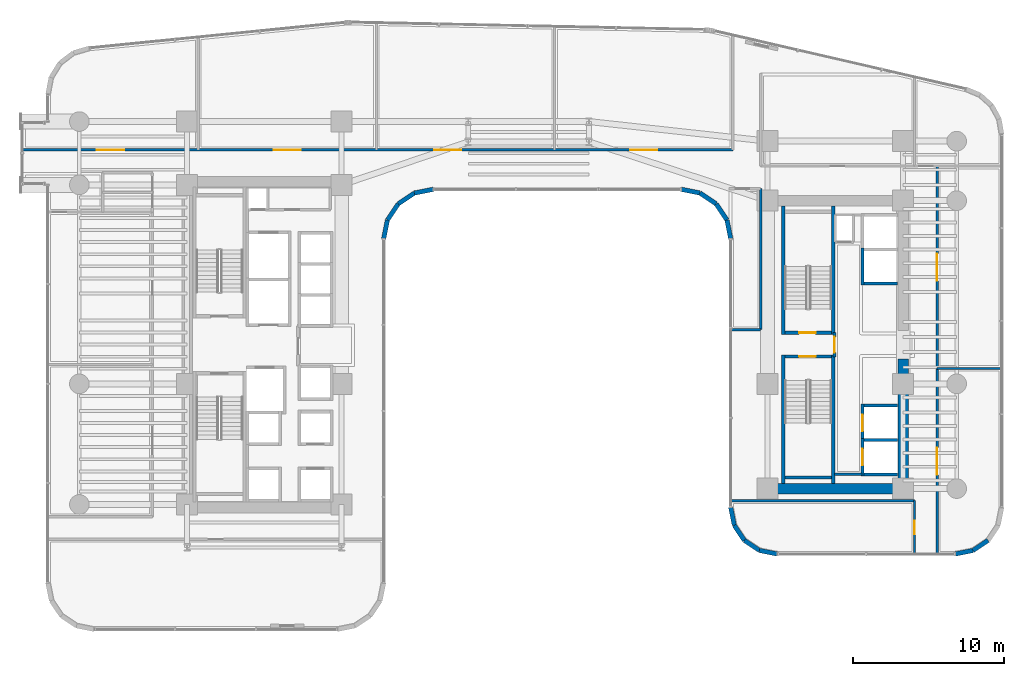
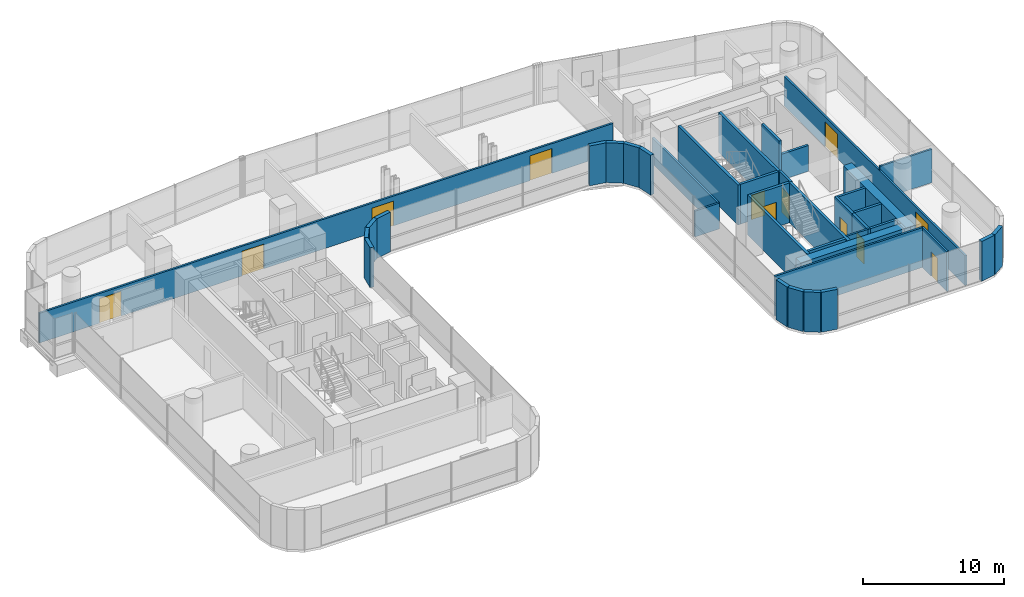
# One storey, part 33 of 40: 39 walls, 12 doors, 12 openings.
"""IFC4 building model written with IfcOpenShell, lengths in metres."""

from ifc_helpers import new_model, si_unit, direction, frame, frame_2d, origin, place, context, subcontext, project, spatial, rectangle, extrude, material, layer, layer_set, type_object, element, fill, save


model = new_model("IFC4")

# Units and contexts
model_context = context("Model", 3, precision=1e-05, world=origin(), true_north=direction((0.0, 1.0)))
body_context = subcontext(model_context, "Body", "Model", "MODEL_VIEW")
ifc_project = project(units=[si_unit("LENGTHUNIT", "METRE"), si_unit("AREAUNIT", "SQUARE_METRE"), si_unit("VOLUMEUNIT", "CUBIC_METRE"), si_unit("PLANEANGLEUNIT", "RADIAN"), si_unit("MASSUNIT", "GRAM", prefix="KILO")], contexts=[model_context])

# Site, building, storey
site_placement = place(None, origin())
site = spatial("IfcSite", under=ifc_project, at=site_placement, CompositionType="ELEMENT")
building_placement = place(site_placement, origin())
building = spatial("IfcBuilding", under=site, at=building_placement, Name="Valdorenza Pilgrim Sanctuary Tower", CompositionType="ELEMENT")
storey_placement = place(building_placement, frame((0.0, 0.0, 51.89990234375)))
storey = spatial("IfcBuildingStorey", under=building, at=storey_placement, Name="L12", CompositionType="ELEMENT", Elevation=51.89990234375)

# Wall
ifc_material_1 = material(Name="Acoustic twin-stud gypsum partition", Category="gypsum")
ifc_layer_1 = layer(ifc_material_1, 0.159912109375, Name="Acoustic twin-stud gypsum partition")
ifc_layer_set_1 = layer_set([ifc_layer_1], Name="Acoustic twin-stud gypsum partition")
wall_type_1 = type_object("IfcWallType", Name="WAL-COR-160", PredefinedType="PARTITIONING", material=ifc_layer_set_1)
wall_1_placement = place(storey_placement, frame((20.300048828125, -8.60009765625, 0.0), z_axis=(0.0, 0.0, 1.0), x_axis=(1.0, 0.0, 0.0)))
element("IfcWall", 1, at=wall_1_placement, inside=storey, type_object=wall_type_1, Name="L12 Core B Lift Hall South End Wall", PredefinedType="PARTITIONING", context=body_context, shape_type="SweptSolid", body=[
    extrude(rectangle(XDim=1.820068359375, YDim=0.159912109375, at=frame_2d((0.91015625, 0.0))), origin(), (0.0, 0.0, 1.0), 3.460205078125),
])

# Wall, openings, doors
wall_2_placement = place(storey_placement, frame((-33.5400390625, 12.919921875, 0.0), z_axis=(0.0, 0.0, 1.0), x_axis=(1.0, 0.0, 0.0)))
wall_2 = element("IfcWall", 2, at=wall_2_placement, inside=storey, type_object=wall_type_1, Name="L12 North Corridor Wall", PredefinedType="PARTITIONING", context=body_context, shape_type="SweptSolid", body=[
    extrude(rectangle(XDim=47.090087890625, YDim=0.159912109375, at=frame_2d((23.544921875, 0.0))), origin(), (0.0, 0.0, 1.0), 2.5830078125),
])
opening_1_placement = place(wall_2_placement, frame((4.910888671875, 0.0, 0.0)))
opening_1 = element("IfcOpeningElement", 3, at=opening_1_placement, cuts=wall_2, Name="Opening DR-HL1", PredefinedType="OPENING", context=body_context, shape_type="SweptSolid", body=[
    extrude(rectangle(XDim=1.800048828125, YDim=2.14990234375, at=frame_2d((0.89990234375, 1.074951171875))), frame((0.0, 0.0947265625, 0.0), z_axis=(0.0, -1.0, 0.0), x_axis=(1.0, 0.0, 0.0)), (0.0, 0.0, 1.0), 0.189697265625),
])
opening_2_placement = place(wall_2_placement, frame((16.634033203125, 0.0, 0.0)))
opening_2 = element("IfcOpeningElement", 4, at=opening_2_placement, cuts=wall_2, Name="Opening DR-HL1", PredefinedType="OPENING", context=body_context, shape_type="SweptSolid", body=[
    extrude(rectangle(XDim=1.800048828125, YDim=2.14990234375, at=frame_2d((0.89990234375, 1.074951171875))), frame((0.0, 0.0947265625, 0.0), z_axis=(0.0, -1.0, 0.0), x_axis=(1.0, 0.0, 0.0)), (0.0, 0.0, 1.0), 0.189697265625),
])
opening_3_placement = place(wall_2_placement, frame((27.284912109375, 0.0, 0.0)))
opening_3 = element("IfcOpeningElement", 5, at=opening_3_placement, cuts=wall_2, Name="Opening DR-HL1", PredefinedType="OPENING", context=body_context, shape_type="SweptSolid", body=[
    extrude(rectangle(XDim=1.800048828125, YDim=2.14990234375, at=frame_2d((0.89990234375, 1.074951171875))), frame((0.0, 0.0947265625, 0.0), z_axis=(0.0, -1.0, 0.0), x_axis=(1.0, 0.0, 0.0)), (0.0, 0.0, 1.0), 0.189697265625),
])
opening_4_placement = place(wall_2_placement, frame((40.279052734375, 0.0, 0.0)))
opening_4 = element("IfcOpeningElement", 6, at=opening_4_placement, cuts=wall_2, Name="Opening DR-HL1", PredefinedType="OPENING", context=body_context, shape_type="SweptSolid", body=[
    extrude(rectangle(XDim=1.800048828125, YDim=2.14990234375, at=frame_2d((0.89990234375, 1.074951171875))), frame((0.0, 0.0947265625, 0.0), z_axis=(0.0, -1.0, 0.0), x_axis=(1.0, 0.0, 0.0)), (0.0, 0.0, 1.0), 0.189697265625),
])
ifc_material_2 = material(Name="Acoustic oak and vision-glass double door", Category="glass")
door_type_1 = type_object("IfcDoorType", Name="DR-HALL-1800", OperationType="NOTDEFINED", PredefinedType="DOOR", material=ifc_material_2)
door_1_placement = place(opening_1_placement, frame((1.800048828125, 0.0, 0.0), z_axis=(0.0, 0.0, 1.0), x_axis=(-1.0, 0.0, 0.0)))
door_1 = element("IfcDoor", 7, at=door_1_placement, inside=storey, type_object=door_type_1, Name="L12 Sacred Art Exhibition Gallery L12-N1 Door", OperationType="DOUBLE_DOOR_SINGLE_SWING", OverallHeight=2.14990234375, OverallWidth=1.800048828125, PredefinedType="DOOR", context=body_context, shape_type="SweptSolid", body=[
    extrude(rectangle(XDim=1.800048828125, YDim=2.14990234375, at=frame_2d((0.89990234375, 1.074951171875))), frame((0.0, 0.02490234375, 0.0), z_axis=(0.0, -1.0, 0.0), x_axis=(1.0, 0.0, 0.0)), (0.0, 0.0, 1.0), 0.050048828125),
])
fill(opening_1, door_1)
door_2_placement = place(opening_2_placement, origin())
door_2 = element("IfcDoor", 8, at=door_2_placement, inside=storey, type_object=door_type_1, Name="L12 Sacred Art Exhibition Gallery L12-N2 Door", OperationType="DOUBLE_DOOR_SINGLE_SWING", OverallHeight=2.14990234375, OverallWidth=1.800048828125, PredefinedType="DOOR", context=body_context, shape_type="SweptSolid", body=[
    extrude(rectangle(XDim=1.800048828125, YDim=2.14990234375, at=frame_2d((0.89990234375, 1.074951171875))), frame((0.0, 0.02490234375, 0.0), z_axis=(0.0, -1.0, 0.0), x_axis=(1.0, 0.0, 0.0)), (0.0, 0.0, 1.0), 0.050048828125),
])
fill(opening_2, door_2)
door_3_placement = place(opening_3_placement, frame((1.800048828125, 0.0, 0.0), z_axis=(0.0, 0.0, 1.0), x_axis=(-1.0, 0.0, 0.0)))
door_3 = element("IfcDoor", 9, at=door_3_placement, inside=storey, type_object=door_type_1, Name="L12 Sacred Art Exhibition Gallery L12-N3 Door", OperationType="DOUBLE_DOOR_SINGLE_SWING", OverallHeight=2.14990234375, OverallWidth=1.800048828125, PredefinedType="DOOR", context=body_context, shape_type="SweptSolid", body=[
    extrude(rectangle(XDim=1.800048828125, YDim=2.14990234375, at=frame_2d((0.89990234375, 1.074951171875))), frame((0.0, 0.02490234375, 0.0), z_axis=(0.0, -1.0, 0.0), x_axis=(1.0, 0.0, 0.0)), (0.0, 0.0, 1.0), 0.050048828125),
])
fill(opening_3, door_3)
door_4_placement = place(opening_4_placement, origin())
door_4 = element("IfcDoor", 10, at=door_4_placement, inside=storey, type_object=door_type_1, Name="L12 Sacred Art Exhibition Gallery L12-N4 Door", OperationType="DOUBLE_DOOR_SINGLE_SWING", OverallHeight=2.14990234375, OverallWidth=1.800048828125, PredefinedType="DOOR", context=body_context, shape_type="SweptSolid", body=[
    extrude(rectangle(XDim=1.800048828125, YDim=2.14990234375, at=frame_2d((0.89990234375, 1.074951171875))), frame((0.0, 0.02490234375, 0.0), z_axis=(0.0, -1.0, 0.0), x_axis=(1.0, 0.0, 0.0)), (0.0, 0.0, 1.0), 0.050048828125),
])
fill(opening_4, door_4)

# Wall, opening, door
wall_3_placement = place(storey_placement, frame((25.60009765625, -13.889892578125, 0.0), z_axis=(0.0, 0.0, 1.0), x_axis=(0.0, 1.0, 0.0)))
wall_3 = element("IfcWall", 11, at=wall_3_placement, inside=storey, type_object=wall_type_1, Name="L12 Wing B South-East Corridor Wall", PredefinedType="PARTITIONING", context=body_context, shape_type="SweptSolid", body=[
    extrude(rectangle(XDim=3.539794921875, YDim=0.159912109375, at=frame_2d((1.77001953125, 0.0))), origin(), (0.0, 0.0, 1.0), 3.460205078125),
])
opening_5_placement = place(wall_3_placement, frame((1.320068359375, 0.0, 0.0)))
opening_5 = element("IfcOpeningElement", 12, at=opening_5_placement, cuts=wall_3, Name="Opening DR-RM1", PredefinedType="OPENING", context=body_context, shape_type="SweptSolid", body=[
    extrude(rectangle(XDim=0.89990234375, YDim=2.10009765625, at=frame_2d((0.449951171875, 1.050048828125))), frame((0.0, 0.0947265625, 0.0), z_axis=(0.0, -1.0, 0.0), x_axis=(1.0, 0.0, 0.0)), (0.0, 0.0, 1.0), 0.189697265625),
])
ifc_material_3 = material(Name="Solid-core European oak timber", Category="wood")
door_type_2 = type_object("IfcDoorType", Name="DR-ROOM-900", OperationType="NOTDEFINED", PredefinedType="DOOR", material=ifc_material_3)
door_5_placement = place(opening_5_placement, origin())
door_5 = element("IfcDoor", 13, at=door_5_placement, inside=storey, type_object=door_type_2, Name="L12 Theological Reference Library L12-BS Door", OperationType="SINGLE_SWING_RIGHT", OverallHeight=2.10009765625, OverallWidth=0.89990234375, PredefinedType="DOOR", context=body_context, shape_type="SweptSolid", body=[
    extrude(rectangle(XDim=0.89990234375, YDim=2.10009765625, at=frame_2d((0.449951171875, 1.050048828125))), frame((0.0, 0.02490234375, 0.0), z_axis=(0.0, -1.0, 0.0), x_axis=(1.0, 0.0, 0.0)), (0.0, 0.0, 1.0), 0.050048828125),
])
fill(opening_5, door_5)

# Wall
wall_4_placement = place(storey_placement, frame((13.409912109375, -10.35009765625, 0.0), z_axis=(0.0, 0.0, 1.0), x_axis=(1.0, 0.0, 0.0)))
element("IfcWall", 14, at=wall_4_placement, inside=storey, type_object=wall_type_1, Name="L12 Wing B South North Wall", PredefinedType="PARTITIONING", context=body_context, shape_type="SweptSolid", body=[
    extrude(rectangle(XDim=12.190185546875, YDim=0.159912109375, at=frame_2d((6.09521484375, 0.0))), origin(), (0.0, 0.0, 1.0), 3.460205078125),
])

# Wall, openings, doors
wall_5_placement = place(storey_placement, frame((27.10009765625, -13.889892578125, 0.0), z_axis=(0.0, 0.0, 1.0), x_axis=(0.0, 1.0, 0.0)))
wall_5 = element("IfcWall", 15, at=wall_5_placement, inside=storey, type_object=wall_type_1, Name="L12 Wing B East Corridor Wall", PredefinedType="PARTITIONING", context=body_context, shape_type="SweptSolid", body=[
    extrude(rectangle(XDim=25.739990234375, YDim=0.159912109375, at=frame_2d((12.8701171875, 0.0))), origin(), (0.0, 0.0, 1.0), 2.5830078125),
])
opening_6_placement = place(wall_5_placement, frame((5.258056640625, 0.0, 0.0)))
opening_6 = element("IfcOpeningElement", 16, at=opening_6_placement, cuts=wall_5, Name="Opening DR-HL1", PredefinedType="OPENING", context=body_context, shape_type="SweptSolid", body=[
    extrude(rectangle(XDim=1.800048828125, YDim=2.14990234375, at=frame_2d((0.89990234375, 1.074951171875))), frame((0.0, 0.0947265625, 0.0), z_axis=(0.0, -1.0, 0.0), x_axis=(1.0, 0.0, 0.0)), (0.0, 0.0, 1.0), 0.189697265625),
])
opening_7_placement = place(wall_5_placement, frame((18.1279296875, 0.0, 0.0)))
opening_7 = element("IfcOpeningElement", 17, at=opening_7_placement, cuts=wall_5, Name="Opening DR-HL1", PredefinedType="OPENING", context=body_context, shape_type="SweptSolid", body=[
    extrude(rectangle(XDim=1.800048828125, YDim=2.14990234375, at=frame_2d((0.89990234375, 1.074951171875))), frame((0.0, 0.0947265625, 0.0), z_axis=(0.0, -1.0, 0.0), x_axis=(1.0, 0.0, 0.0)), (0.0, 0.0, 1.0), 0.189697265625),
])
door_6_placement = place(opening_6_placement, origin())
door_6 = element("IfcDoor", 18, at=door_6_placement, inside=storey, type_object=door_type_1, Name="L12 Sacred Art Exhibition Gallery L12-EB1 Door", OperationType="DOUBLE_DOOR_SINGLE_SWING", OverallHeight=2.14990234375, OverallWidth=1.800048828125, PredefinedType="DOOR", context=body_context, shape_type="SweptSolid", body=[
    extrude(rectangle(XDim=1.800048828125, YDim=2.14990234375, at=frame_2d((0.89990234375, 1.074951171875))), frame((0.0, 0.02490234375, 0.0), z_axis=(0.0, -1.0, 0.0), x_axis=(1.0, 0.0, 0.0)), (0.0, 0.0, 1.0), 0.050048828125),
])
fill(opening_6, door_6)
door_7_placement = place(opening_7_placement, frame((1.800048828125, 0.0, 0.0), z_axis=(0.0, 0.0, 1.0), x_axis=(-1.0, 0.0, 0.0)))
door_7 = element("IfcDoor", 19, at=door_7_placement, inside=storey, type_object=door_type_1, Name="L12 Sacred Art Exhibition Gallery L12-EB2 Door", OperationType="DOUBLE_DOOR_SINGLE_SWING", OverallHeight=2.14990234375, OverallWidth=1.800048828125, PredefinedType="DOOR", context=body_context, shape_type="SweptSolid", body=[
    extrude(rectangle(XDim=1.800048828125, YDim=2.14990234375, at=frame_2d((0.89990234375, 1.074951171875))), frame((0.0, 0.02490234375, 0.0), z_axis=(0.0, -1.0, 0.0), x_axis=(1.0, 0.0, 0.0)), (0.0, 0.0, 1.0), 0.050048828125),
])
fill(opening_7, door_7)

# Walls
wall_6_placement = place(storey_placement, frame((15.39990234375, 1.0, 0.0), z_axis=(0.0, 0.0, 1.0), x_axis=(0.0, 1.0, 0.0)))
element("IfcWall", 20, at=wall_6_placement, inside=storey, type_object=wall_type_1, Name="L12 Courtyard Overlook East Wall", PredefinedType="PARTITIONING", context=body_context, shape_type="SweptSolid", body=[
    extrude(rectangle(XDim=9.35009765625, YDim=0.159912109375, at=frame_2d((4.675048828125, 0.0))), origin(), (0.0, 0.0, 1.0), 2.2451171875),
])
wall_7_placement = place(storey_placement, frame((13.409912109375, 1.0, 0.0), z_axis=(0.0, 0.0, 1.0), x_axis=(1.0, 0.0, 0.0)))
element("IfcWall", 21, at=wall_7_placement, inside=storey, type_object=wall_type_1, Name="L12 Courtyard Overlook South Wall", PredefinedType="PARTITIONING", context=body_context, shape_type="SweptSolid", body=[
    extrude(rectangle(XDim=1.989990234375, YDim=0.159912109375, at=frame_2d((0.9951171875, 0.0))), origin(), (0.0, 0.0, 1.0), 2.2451171875),
])
ifc_material_4 = material(Name="Concrete C60/75", Category="concrete")
ifc_layer_2 = layer(ifc_material_4, 0.699951171875, Name="Concrete C60/75")
ifc_layer_set_2 = layer_set([ifc_layer_2], Name="Concrete C60/75")
wall_type_2 = type_object("IfcWallType", Name="WAL-COR-700", PredefinedType="SHEAR", material=ifc_layer_set_2)
wall_8_placement = place(storey_placement, frame((24.85009765625, -9.89990234375, 0.0), z_axis=(0.0, 0.0, 1.0), x_axis=(0.0, 1.0, 0.0)))
element("IfcWall", 22, at=wall_8_placement, inside=storey, type_object=wall_type_2, Name="L12 Split Core B Shear Wall ES", PredefinedType="SHEAR", context=body_context, shape_type="SweptSolid", body=[
    extrude(rectangle(XDim=8.949951171875, YDim=0.699951171875, at=frame_2d((4.47509765625, 0.0))), origin(), (0.0, 0.0, 1.0), 3.460205078125),
])
wall_9_placement = place(storey_placement, frame((15.85009765625, -9.550048828125, 0.0), z_axis=(0.0, 0.0, 1.0), x_axis=(1.0, 0.0, 0.0)))
element("IfcWall", 23, at=wall_9_placement, inside=storey, type_object=wall_type_2, Name="L12 Split Core B Shear Wall S", PredefinedType="SHEAR", context=body_context, shape_type="SweptSolid", body=[
    extrude(rectangle(XDim=9.0, YDim=0.699951171875, at=frame_2d((4.5, 0.0))), origin(), (0.0, 0.0, 1.0), 3.460205078125),
])
ifc_material_5 = material(Name="Honed travertine limestone", Category="masonry")
ifc_layer_3 = layer(ifc_material_5, 0.300048828125, Name="Honed travertine limestone")
ifc_layer_set_3 = layer_set([ifc_layer_3], Name="Honed travertine limestone")
wall_type_3 = type_object("IfcWallType", Name="WAL-EXT-300", PredefinedType="SOLIDWALL", material=ifc_layer_set_3)
wall_10_placement = place(storey_placement, frame((30.4833984375, -12.9833984375, 0.0), z_axis=(0.0, 0.0, 1.0), x_axis=(-0.831426265255, -0.555635100982, 0.0)))
element("IfcWall", 24, at=wall_10_placement, inside=storey, type_object=wall_type_3, Name="L12 Rounded Wind-Corner Stone Pier 24", PredefinedType="SOLIDWALL", context=body_context, shape_type="SweptSolid", body=[
    extrude(rectangle(XDim=1.204833984375, YDim=0.300048828125, at=frame_2d((0.6025390625, 0.0))), origin(), (0.0, 0.0, 1.0), 3.460205078125),
])
for number, where, z_axis, x_axis, name in (
    (25, (29.481689453125, -13.65283203125, 0.0), (0.0, 0.0, 1.0), (-0.980804027463, -0.194996050505, 0.0), "L12 Rounded Wind-Corner Stone Pier 25"),
    (26, (16.5107421875, -13.889892578125, 0.0), (0.0, 0.0, 1.0), (-0.980804027463, 0.194996050505, 0.0), "L12 Rounded Wind-Corner Stone Pier 27"),
):
    element("IfcWall", number, at=place(storey_placement, frame(where, z_axis=z_axis, x_axis=x_axis)), inside=storey, type_object=wall_type_3, Name=name, PredefinedType="SOLIDWALL", context=body_context, shape_type="SweptSolid", body=[
        extrude(rectangle(XDim=1.2158203125, YDim=0.300048828125, at=frame_2d((0.60791015625, 0.0))), origin(), (0.0, 0.0, 1.0), 3.460205078125),
    ])
for number, where, z_axis, x_axis, name in (
    (27, (15.318359375, -13.65283203125, 0.0), (0.0, 0.0, 1.0), (-0.831426265255, 0.555635100982, 0.0), "L12 Rounded Wind-Corner Stone Pier 28"),
    (28, (14.316650390625, -12.9833984375, 0.0), (0.0, 0.0, 1.0), (-0.555635100982, 0.831426265255, 0.0), "L12 Rounded Wind-Corner Stone Pier 29"),
):
    element("IfcWall", number, at=place(storey_placement, frame(where, z_axis=z_axis, x_axis=x_axis)), inside=storey, type_object=wall_type_3, Name=name, PredefinedType="SOLIDWALL", context=body_context, shape_type="SweptSolid", body=[
        extrude(rectangle(XDim=1.204833984375, YDim=0.300048828125, at=frame_2d((0.6025390625, 0.0))), origin(), (0.0, 0.0, 1.0), 3.460205078125),
    ])
wall_11_placement = place(storey_placement, frame((13.647216796875, -11.981689453125, 0.0), z_axis=(0.0, 0.0, 1.0), x_axis=(-0.195189223115, 0.980765602568, 0.0)))
element("IfcWall", 29, at=wall_11_placement, inside=storey, type_object=wall_type_3, Name="L12 Rounded Wind-Corner Stone Pier 30", PredefinedType="SOLIDWALL", context=body_context, shape_type="SweptSolid", body=[
    extrude(rectangle(XDim=1.2158203125, YDim=0.300048828125, at=frame_2d((0.60791015625, 0.0))), origin(), (0.0, 0.0, 1.0), 3.460205078125),
])
wall_12_placement = place(storey_placement, frame((13.409912109375, 7.0107421875, 0.0), z_axis=(0.0, 0.0, 1.0), x_axis=(-0.195090163074, 0.980785312019, 0.0)))
element("IfcWall", 30, at=wall_12_placement, inside=storey, type_object=wall_type_3, Name="L12 Rounded Wind-Corner Stone Pier 32", PredefinedType="SOLIDWALL", context=body_context, shape_type="SweptSolid", body=[
    extrude(rectangle(XDim=1.281494140625, YDim=0.300048828125, at=frame_2d((0.640625, 0.0))), origin(), (0.0, 0.0, 1.0), 3.460205078125),
])
for number, where, z_axis, x_axis, name in (
    (31, (13.159912109375, 8.267578125, 0.0), (0.0, 0.0, 1.0), (-0.555615398575, 0.831439431869, 0.0), "L12 Rounded Wind-Corner Stone Pier 33"),
    (32, (12.44189453125, 9.342041015625, 0.0), (0.0, 0.0, 1.0), (-0.831439431869, 0.555615398575, 0.0), "L12 Rounded Wind-Corner Stone Pier 34"),
):
    element("IfcWall", number, at=place(storey_placement, frame(where, z_axis=z_axis, x_axis=x_axis)), inside=storey, type_object=wall_type_3, Name=name, PredefinedType="SOLIDWALL", context=body_context, shape_type="SweptSolid", body=[
        extrude(rectangle(XDim=1.292236328125, YDim=0.300048828125, at=frame_2d((0.64599609375, 0.0))), origin(), (0.0, 0.0, 1.0), 3.460205078125),
    ])
for number, where, z_axis, x_axis, name in (
    (33, (11.367431640625, 10.06005859375, 0.0), (0.0, 0.0, 1.0), (-0.980778058848, 0.195126623715, 0.0), "L12 Rounded Wind-Corner Stone Pier 35"),
    (34, (-6.310791015625, 10.31005859375, 0.0), (0.0, 0.0, 1.0), (-0.980778058848, -0.195126623715, 0.0), "L12 Rounded Wind-Corner Stone Pier 37"),
):
    element("IfcWall", number, at=place(storey_placement, frame(where, z_axis=z_axis, x_axis=x_axis)), inside=storey, type_object=wall_type_3, Name=name, PredefinedType="SOLIDWALL", context=body_context, shape_type="SweptSolid", body=[
        extrude(rectangle(XDim=1.28125, YDim=0.300048828125, at=frame_2d((0.640625, 0.0))), origin(), (0.0, 0.0, 1.0), 3.460205078125),
    ])
wall_13_placement = place(storey_placement, frame((-7.5673828125, 10.06005859375, 0.0), z_axis=(0.0, 0.0, 1.0), x_axis=(-0.831497739511, -0.555528135371, 0.0)))
element("IfcWall", 35, at=wall_13_placement, inside=storey, type_object=wall_type_3, Name="L12 Rounded Wind-Corner Stone Pier 38", PredefinedType="SOLIDWALL", context=body_context, shape_type="SweptSolid", body=[
    extrude(rectangle(XDim=1.29248046875, YDim=0.300048828125, at=frame_2d((0.646240234375, 0.0))), origin(), (0.0, 0.0, 1.0), 3.460205078125),
])
wall_14_placement = place(storey_placement, frame((-8.64208984375, 9.342041015625, 0.0), z_axis=(0.0, 0.0, 1.0), x_axis=(-0.555615398575, -0.831439431869, 0.0)))
element("IfcWall", 36, at=wall_14_placement, inside=storey, type_object=wall_type_3, Name="L12 Rounded Wind-Corner Stone Pier 39", PredefinedType="SOLIDWALL", context=body_context, shape_type="SweptSolid", body=[
    extrude(rectangle(XDim=1.292236328125, YDim=0.300048828125, at=frame_2d((0.64599609375, 0.0))), origin(), (0.0, 0.0, 1.0), 3.460205078125),
])
wall_15_placement = place(storey_placement, frame((-9.360107421875, 8.267578125, 0.0), z_axis=(0.0, 0.0, 1.0), x_axis=(-0.195090163074, -0.980785312019, 0.0)))
element("IfcWall", 37, at=wall_15_placement, inside=storey, type_object=wall_type_3, Name="L12 Rounded Wind-Corner Stone Pier 40", PredefinedType="SOLIDWALL", context=body_context, shape_type="SweptSolid", body=[
    extrude(rectangle(XDim=1.281494140625, YDim=0.300048828125, at=frame_2d((0.640625, 0.0))), origin(), (0.0, 0.0, 1.0), 3.460205078125),
])

# Wall, opening, door
ifc_material_6 = material(Name="Gypsum shaftwall partition", Category="gypsum")
ifc_layer_4 = layer(ifc_material_6, 0.199951171875, Name="Gypsum shaftwall partition")
ifc_layer_set_4 = layer_set([ifc_layer_4], Name="Gypsum shaftwall partition")
wall_type_4 = type_object("IfcWallType", Name="WAL-FFL-200", PredefinedType="PARTITIONING", material=ifc_layer_set_4)
wall_16_placement = place(storey_placement, frame((20.300048828125, -0.820068359375, 0.0), z_axis=(0.0, 0.0, 1.0), x_axis=(0.0, 1.0, 0.0)))
wall_16 = element("IfcWall", 38, at=wall_16_placement, inside=storey, type_object=wall_type_4, Name="L12 Core B Firefighting Lobby East Wall", PredefinedType="PARTITIONING", context=body_context, shape_type="SweptSolid", body=[
    extrude(rectangle(XDim=1.64013671875, YDim=0.199951171875, at=frame_2d((0.820068359375, 0.0))), origin(), (0.0, 0.0, 1.0), 3.460205078125),
])
opening_8_placement = place(wall_16_placement, frame((0.294921875, 0.0, 0.0)))
opening_8 = element("IfcOpeningElement", 39, at=opening_8_placement, cuts=wall_16, Name="Opening DR-FL1", PredefinedType="OPENING", context=body_context, shape_type="SweptSolid", body=[
    extrude(rectangle(XDim=1.050048828125, YDim=2.14990234375, at=frame_2d((0.52490234375, 1.074951171875))), frame((0.0, 0.11474609375, 0.0), z_axis=(0.0, -1.0, 0.0), x_axis=(1.0, 0.0, 0.0)), (0.0, 0.0, 1.0), 0.229736328125),
])
ifc_material_7 = material(Name="Painted galvanized steel", Category="steel")
door_type_3 = type_object("IfcDoorType", Name="DR-FFL-1050", OperationType="NOTDEFINED", PredefinedType="DOOR", material=ifc_material_7)
door_8_placement = place(opening_8_placement, frame((1.050048828125, 0.0, 0.0), z_axis=(0.0, 0.0, 1.0), x_axis=(-1.0, 0.0, 0.0)))
door_8 = element("IfcDoor", 40, at=door_8_placement, inside=storey, type_object=door_type_3, Name="L12 Core B Firefighting Lobby Door", OperationType="SINGLE_SWING_LEFT", OverallHeight=2.14990234375, OverallWidth=1.050048828125, PredefinedType="DOOR", context=body_context, shape_type="SweptSolid", body=[
    extrude(rectangle(XDim=1.050048828125, YDim=2.14990234375, at=frame_2d((0.52490234375, 1.074951171875))), frame((0.0, 0.02490234375, 0.0), z_axis=(0.0, -1.0, 0.0), x_axis=(1.0, 0.0, 0.0)), (0.0, 0.0, 1.0), 0.050048828125),
])
fill(opening_8, door_8)

ifc_material_8 = material(Name="Autoclaved aerated concrete blockwork", Category="masonry")
ifc_layer_5 = layer(ifc_material_8, 0.199951171875, Name="Autoclaved aerated concrete blockwork")
ifc_layer_set_5 = layer_set([ifc_layer_5], Name="Autoclaved aerated concrete blockwork")
wall_type_5 = type_object("IfcWallType", Name="WAL-SHF-200", PredefinedType="MOVABLE", material=ifc_layer_set_5)
wall_17_placement = place(storey_placement, frame((22.14990234375, -8.699951171875, 0.0), z_axis=(0.0, 0.0, 1.0), x_axis=(0.0, 1.0, 0.0)))
wall_17 = element("IfcWall", 41, at=wall_17_placement, inside=storey, type_object=wall_type_5, Name="L12 Lift PL-03 Hoistway Wall West", PredefinedType="MOVABLE", context=body_context, shape_type="SweptSolid", body=[
    extrude(rectangle(XDim=2.474853515625, YDim=0.199951171875, at=frame_2d((1.2373046875, 0.0))), origin(), (0.0, 0.0, 1.0), 3.460205078125),
])
opening_9_placement = place(wall_17_placement, frame((0.6875, 0.0, 0.0)))
opening_9 = element("IfcOpeningElement", 42, at=opening_9_placement, cuts=wall_17, Name="Opening LD-01", PredefinedType="OPENING", context=body_context, shape_type="SweptSolid", body=[
    extrude(rectangle(XDim=1.10009765625, YDim=2.10009765625, at=frame_2d((0.550048828125, 1.050048828125))), frame((0.0, 0.11474609375, 0.0), z_axis=(0.0, -1.0, 0.0), x_axis=(1.0, 0.0, 0.0)), (0.0, 0.0, 1.0), 0.229736328125),
])
ifc_material_9 = material(Name="Brushed stainless steel Grade 316", Category="steel")
door_type_4 = type_object("IfcDoorType", Name="DR-LFT-1100", OperationType="DOUBLE_DOOR_SLIDING", PredefinedType="DOOR", material=ifc_material_9)
door_9_placement = place(opening_9_placement, origin())
door_9 = element("IfcDoor", 43, at=door_9_placement, inside=storey, type_object=door_type_4, Name="L12 Lift PL-03 Sliding Landing Door", OperationType="DOUBLE_DOOR_SLIDING", OverallHeight=2.10009765625, OverallWidth=1.10009765625, PredefinedType="DOOR", context=body_context, shape_type="SweptSolid", body=[
    extrude(rectangle(XDim=1.10009765625, YDim=2.10009765625, at=frame_2d((0.550048828125, 1.050048828125))), frame((0.0, 0.02490234375, 0.0), z_axis=(0.0, -1.0, 0.0), x_axis=(1.0, 0.0, 0.0)), (0.0, 0.0, 1.0), 0.050048828125),
])
fill(opening_9, door_9)

# Walls
for number, where, z_axis, x_axis, name in (
    (44, (22.25, -8.60009765625, 0.0), (0.0, 0.0, 1.0), (1.0, 0.0, 0.0), "L12 Lift PL-03 Hoistway Wall South"),
    (45, (22.25, -6.324951171875, 0.0), (0.0, 0.0, 1.0), (1.0, 0.0, 0.0), "L12 Lift PL-03 Hoistway Wall North"),
):
    element("IfcWall", number, at=place(storey_placement, frame(where, z_axis=z_axis, x_axis=x_axis)), inside=storey, type_object=wall_type_5, Name=name, PredefinedType="MOVABLE", context=body_context, shape_type="SweptSolid", body=[
        extrude(rectangle(XDim=2.22998046875, YDim=0.199951171875, at=frame_2d((1.114990234375, 0.0))), origin(), (0.0, 0.0, 1.0), 3.460205078125),
    ])

# Wall, opening, door
wall_18_placement = place(storey_placement, frame((22.14990234375, -6.425048828125, 0.0), z_axis=(0.0, 0.0, 1.0), x_axis=(0.0, 1.0, 0.0)))
wall_18 = element("IfcWall", 46, at=wall_18_placement, inside=storey, type_object=wall_type_5, Name="L12 Lift PL-04 Hoistway Wall West", PredefinedType="MOVABLE", context=body_context, shape_type="SweptSolid", body=[
    extrude(rectangle(XDim=2.47509765625, YDim=0.199951171875, at=frame_2d((1.237548828125, 0.0))), origin(), (0.0, 0.0, 1.0), 3.460205078125),
])
opening_10_placement = place(wall_18_placement, frame((0.6875, 0.0, 0.0)))
opening_10 = element("IfcOpeningElement", 47, at=opening_10_placement, cuts=wall_18, Name="Opening LD-01", PredefinedType="OPENING", context=body_context, shape_type="SweptSolid", body=[
    extrude(rectangle(XDim=1.10009765625, YDim=2.10009765625, at=frame_2d((0.550048828125, 1.050048828125))), frame((0.0, 0.11474609375, 0.0), z_axis=(0.0, -1.0, 0.0), x_axis=(1.0, 0.0, 0.0)), (0.0, 0.0, 1.0), 0.229736328125),
])
door_10_placement = place(opening_10_placement, origin())
door_10 = element("IfcDoor", 48, at=door_10_placement, inside=storey, type_object=door_type_4, Name="L12 Lift PL-04 Sliding Landing Door", OperationType="DOUBLE_DOOR_SLIDING", OverallHeight=2.10009765625, OverallWidth=1.10009765625, PredefinedType="DOOR", context=body_context, shape_type="SweptSolid", body=[
    extrude(rectangle(XDim=1.10009765625, YDim=2.10009765625, at=frame_2d((0.550048828125, 1.050048828125))), frame((0.0, 0.02490234375, 0.0), z_axis=(0.0, -1.0, 0.0), x_axis=(1.0, 0.0, 0.0)), (0.0, 0.0, 1.0), 0.050048828125),
])
fill(opening_10, door_10)

# Walls
wall_19_placement = place(storey_placement, frame((22.25, -4.050048828125, 0.0), z_axis=(0.0, 0.0, 1.0), x_axis=(1.0, 0.0, 0.0)))
element("IfcWall", 49, at=wall_19_placement, inside=storey, type_object=wall_type_5, Name="L12 Lift PL-04 Hoistway Wall North", PredefinedType="MOVABLE", context=body_context, shape_type="SweptSolid", body=[
    extrude(rectangle(XDim=2.22998046875, YDim=0.199951171875, at=frame_2d((1.114990234375, 0.0))), origin(), (0.0, 0.0, 1.0), 3.460205078125),
])
wall_20_placement = place(storey_placement, frame((22.14990234375, 3.949951171875, 0.0), z_axis=(0.0, 0.0, 1.0), x_axis=(0.0, 1.0, 0.0)))
element("IfcWall", 50, at=wall_20_placement, inside=storey, type_object=wall_type_5, Name="L12 Lift PL-07 Hoistway Wall West", PredefinedType="MOVABLE", context=body_context, shape_type="SweptSolid", body=[
    extrude(rectangle(XDim=2.47509765625, YDim=0.199951171875, at=frame_2d((1.237548828125, 0.0))), origin(), (0.0, 0.0, 1.0), 3.460205078125),
])
wall_21_placement = place(storey_placement, frame((22.25, 4.050048828125, 0.0), z_axis=(0.0, 0.0, 1.0), x_axis=(1.0, 0.0, 0.0)))
element("IfcWall", 51, at=wall_21_placement, inside=storey, type_object=wall_type_5, Name="L12 Lift PL-07 Hoistway Wall South", PredefinedType="MOVABLE", context=body_context, shape_type="SweptSolid", body=[
    extrude(rectangle(XDim=2.22998046875, YDim=0.199951171875, at=frame_2d((1.114990234375, 0.0))), origin(), (0.0, 0.0, 1.0), 2.2451171875),
])
ifc_material_10 = material(Name="Concrete C40/50", Category="concrete")
ifc_layer_6 = layer(ifc_material_10, 0.219970703125, Name="Concrete C40/50")
ifc_layer_set_6 = layer_set([ifc_layer_6], Name="Concrete C40/50")
wall_type_6 = type_object("IfcWallType", Name="WAL-STR-SHF-220", PredefinedType="SHEAR", material=ifc_layer_set_6)
for number, where, z_axis, x_axis, name in (
    (52, (16.889892578125, 0.679931640625, 0.0), (0.0, 0.0, 1.0), (0.0, 1.0, 0.0), "L12 ST-B1 Structural Stairwell Wall W"),
    (53, (20.219970703125, 0.679931640625, 0.0), (0.0, 0.0, 1.0), (0.0, 1.0, 0.0), "L12 ST-B1 Structural Stairwell Wall E"),
):
    element("IfcWall", number, at=place(storey_placement, frame(where, z_axis=z_axis, x_axis=x_axis)), inside=storey, type_object=wall_type_6, Name=name, PredefinedType="SHEAR", context=body_context, shape_type="SweptSolid", body=[
        extrude(rectangle(XDim=8.52001953125, YDim=0.219970703125, at=frame_2d((4.260009765625, 0.0))), origin(), (0.0, 0.0, 1.0), 3.460205078125),
    ])

# Wall, opening, door
wall_22_placement = place(storey_placement, frame((17.0, 0.7900390625, 0.0), z_axis=(0.0, 0.0, 1.0), x_axis=(1.0, 0.0, 0.0)))
wall_22 = element("IfcWall", 54, at=wall_22_placement, inside=storey, type_object=wall_type_6, Name="L12 ST-B1 Structural Stairwell Wall S", PredefinedType="SHEAR", context=body_context, shape_type="SweptSolid", body=[
    extrude(rectangle(XDim=3.110107421875, YDim=0.219970703125, at=frame_2d((1.55517578125, 0.0))), origin(), (0.0, 0.0, 1.0), 3.460205078125),
])
opening_11_placement = place(wall_22_placement, frame((0.949951171875, 0.0, 0.0)))
opening_11 = element("IfcOpeningElement", 55, at=opening_11_placement, cuts=wall_22, Name="Opening DR-ST1", PredefinedType="OPENING", context=body_context, shape_type="SweptSolid", body=[
    extrude(rectangle(XDim=1.10009765625, YDim=2.14990234375, at=frame_2d((0.550048828125, 1.074951171875))), frame((0.0, 0.125, 0.0), z_axis=(0.0, -1.0, 0.0), x_axis=(1.0, 0.0, 0.0)), (0.0, 0.0, 1.0), 0.249755859375),
])
door_type_5 = type_object("IfcDoorType", Name="DR-STAIR-1100", OperationType="NOTDEFINED", PredefinedType="DOOR", material=ifc_material_7)
door_11_placement = place(opening_11_placement, origin())
door_11 = element("IfcDoor", 56, at=door_11_placement, inside=storey, type_object=door_type_5, Name="L12 Exit Stair ST-B1 Door", OperationType="SINGLE_SWING_RIGHT", OverallHeight=2.14990234375, OverallWidth=1.10009765625, PredefinedType="DOOR", context=body_context, shape_type="SweptSolid", body=[
    extrude(rectangle(XDim=1.10009765625, YDim=2.14990234375, at=frame_2d((0.550048828125, 1.074951171875))), frame((0.0, 0.02490234375, 0.0), z_axis=(0.0, -1.0, 0.0), x_axis=(1.0, 0.0, 0.0)), (0.0, 0.0, 1.0), 0.050048828125),
])
fill(opening_11, door_11)

# Walls
for number, where, z_axis, x_axis, name in (
    (57, (16.889892578125, -9.199951171875, 0.0), (0.0, 0.0, 1.0), (0.0, 1.0, 0.0), "L12 ST-B2 Structural Stairwell Wall W"),
    (58, (20.219970703125, -9.199951171875, 0.0), (0.0, 0.0, 1.0), (0.0, 1.0, 0.0), "L12 ST-B2 Structural Stairwell Wall E"),
):
    element("IfcWall", number, at=place(storey_placement, frame(where, z_axis=z_axis, x_axis=x_axis)), inside=storey, type_object=wall_type_6, Name=name, PredefinedType="SHEAR", context=body_context, shape_type="SweptSolid", body=[
        extrude(rectangle(XDim=8.52001953125, YDim=0.219970703125, at=frame_2d((4.260009765625, 0.0))), origin(), (0.0, 0.0, 1.0), 3.460205078125),
    ])
wall_23_placement = place(storey_placement, frame((17.0, -8.81005859375, 0.0), z_axis=(0.0, 0.0, 1.0), x_axis=(1.0, 0.0, 0.0)))
element("IfcWall", 59, at=wall_23_placement, inside=storey, type_object=wall_type_6, Name="L12 ST-B2 Structural Stairwell Wall S", PredefinedType="SHEAR", context=body_context, shape_type="SweptSolid", body=[
    extrude(rectangle(XDim=3.110107421875, YDim=0.219970703125, at=frame_2d((1.55517578125, 0.0))), origin(), (0.0, 0.0, 1.0), 3.460205078125),
])

# Wall, opening, door
wall_24_placement = place(storey_placement, frame((17.0, -0.7900390625, 0.0), z_axis=(0.0, 0.0, 1.0), x_axis=(1.0, 0.0, 0.0)))
wall_24 = element("IfcWall", 60, at=wall_24_placement, inside=storey, type_object=wall_type_6, Name="L12 ST-B2 Structural Stairwell Wall N", PredefinedType="SHEAR", context=body_context, shape_type="SweptSolid", body=[
    extrude(rectangle(XDim=3.110107421875, YDim=0.219970703125, at=frame_2d((1.55517578125, 0.0))), origin(), (0.0, 0.0, 1.0), 3.460205078125),
])
opening_12_placement = place(wall_24_placement, frame((0.949951171875, 0.0, 0.0)))
opening_12 = element("IfcOpeningElement", 61, at=opening_12_placement, cuts=wall_24, Name="Opening DR-ST1", PredefinedType="OPENING", context=body_context, shape_type="SweptSolid", body=[
    extrude(rectangle(XDim=1.10009765625, YDim=2.14990234375, at=frame_2d((0.550048828125, 1.074951171875))), frame((0.0, 0.125, 0.0), z_axis=(0.0, -1.0, 0.0), x_axis=(1.0, 0.0, 0.0)), (0.0, 0.0, 1.0), 0.249755859375),
])
door_12_placement = place(opening_12_placement, frame((1.10009765625, 0.0, 0.0), z_axis=(0.0, 0.0, 1.0), x_axis=(-1.0, 0.0, 0.0)))
door_12 = element("IfcDoor", 62, at=door_12_placement, inside=storey, type_object=door_type_5, Name="L12 Exit Stair ST-B2 Door", OperationType="SINGLE_SWING_LEFT", OverallHeight=2.14990234375, OverallWidth=1.10009765625, PredefinedType="DOOR", context=body_context, shape_type="SweptSolid", body=[
    extrude(rectangle(XDim=1.10009765625, YDim=2.14990234375, at=frame_2d((0.550048828125, 1.074951171875))), frame((0.0, 0.02490234375, 0.0), z_axis=(0.0, -1.0, 0.0), x_axis=(1.0, 0.0, 0.0)), (0.0, 0.0, 1.0), 0.050048828125),
])
fill(opening_12, door_12)

# Wall
ifc_layer_7 = layer(ifc_material_1, 0.14990234375, Name="Acoustic twin-stud gypsum partition")
ifc_layer_set_7 = layer_set([ifc_layer_7], Name="Acoustic twin-stud gypsum partition")
wall_type_7 = type_object("IfcWallType", Name="WAL-UNT-150", PredefinedType="PARTITIONING", material=ifc_layer_set_7)
wall_25_placement = place(storey_placement, frame((27.10009765625, -1.574951171875, 0.0), z_axis=(0.0, 0.0, 1.0), x_axis=(1.0, 0.0, 0.0)))
element("IfcWall", 63, at=wall_25_placement, inside=storey, type_object=wall_type_7, Name="L12 Sacred Art Exhibition Gallery L12-EB2 Demising Wall", PredefinedType="PARTITIONING", context=body_context, shape_type="SweptSolid", body=[
    extrude(rectangle(XDim=4.289794921875, YDim=0.14990234375, at=frame_2d((2.14501953125, 0.0))), origin(), (0.0, 0.0, 1.0), 2.89599609375),
])

save(model, "model.ifc")
